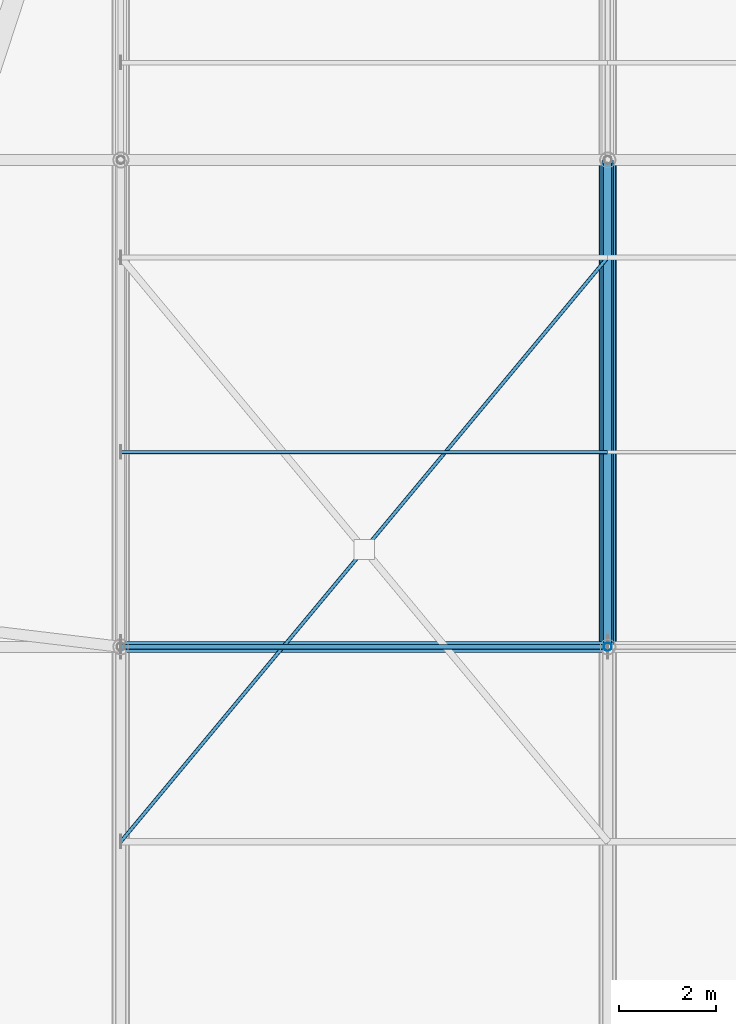
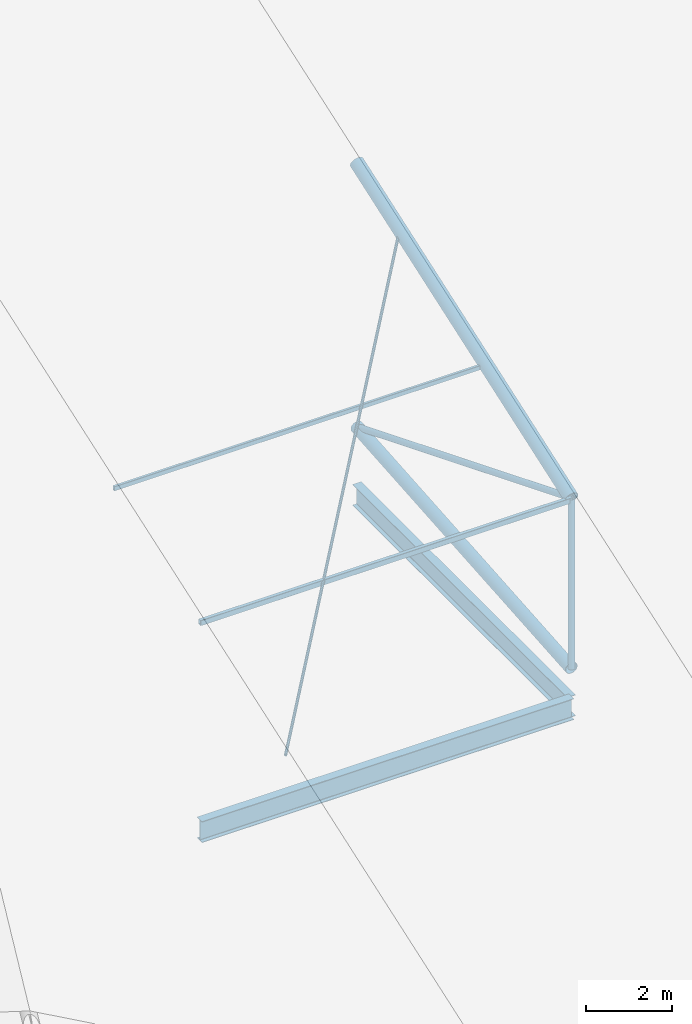
# One storey, part 13 of 93: 7 members, 2 beams.
"""IFC4 building model written with IfcOpenShell, lengths in metres."""

import ifcopenshell
import ifcopenshell.guid

model = None  # the IFC model being written
_history = None  # IfcOwnerHistory: only IFC2X3 demands one
_inside = {}  # id of a spatial element -> (the spatial element, [elements in it])
_under = {}  # id of a project, library or spatial element -> (it, [spatial elements below it])
_declared = {}  # id of a project -> (the project, [libraries it declares])
_typed = {}  # id of a type object -> (the type object, [elements of that type])
_made_of = {}  # id of a material, layer set ... -> (it, [elements and type objects made of it])


def new_model(schema):
    """Start an empty IFC model of exactly this schema.

    Asked for "IFC4X3", IfcOpenShell would pick the latest addendum, in which some entities
    have other attributes; the version numbers below select the first issue.
    IFC2X3 requires an IfcOwnerHistory on every rooted entity: one is made here for all.
    """
    global model, _history
    if schema == "IFC4X3":
        model = ifcopenshell.file(schema_version=(4, 3, 0, 0))
    else:
        model = ifcopenshell.file(schema=schema)
    _inside.clear()
    _under.clear()
    _declared.clear()
    _typed.clear()
    _made_of.clear()
    _history = None
    if model.schema == "IFC2X3":
        org = make("IfcOrganization", Name="unknown")
        user = make(
            "IfcPersonAndOrganization",
            ThePerson=make("IfcPerson", FamilyName="unknown"),
            TheOrganization=org,
        )
        app = make(
            "IfcApplication",
            ApplicationDeveloper=org,
            Version="unknown",
            ApplicationFullName="unknown",
            ApplicationIdentifier="unknown",
        )
        _history = make(
            "IfcOwnerHistory",
            OwningUser=user,
            OwningApplication=app,
            ChangeAction="ADDED",
            CreationDate=0,
        )
    return model


def make(cls, **values):
    """One entity of the class cls with the attributes given. An attribute that is None is left unset."""
    return model.create_entity(
        cls, **{name: value for name, value in values.items() if value is not None}
    )


def rooted(cls, **values):
    """An entity with a GlobalId (a new one), such as an element, a storey or a relation."""
    return make(cls, GlobalId=ifcopenshell.guid.new(), OwnerHistory=_history, **values)


def si_unit(unit_type, name, prefix=None):
    """IfcSIUnit, for example si_unit("LENGTHUNIT", "METRE", prefix="MILLI")."""
    return make("IfcSIUnit", UnitType=unit_type, Prefix=prefix, Name=name)


def derived_unit(unit_type, elements):
    """IfcDerivedUnit: a product of units, each with its exponent."""
    return make(
        "IfcDerivedUnit",
        Elements=[
            make("IfcDerivedUnitElement", Unit=unit, Exponent=power)
            for unit, power in elements
        ],
        UnitType=unit_type,
    )


def assignment(units):
    """IfcUnitAssignment: the units of a project."""
    return None if units is None else make("IfcUnitAssignment", Units=units)


def point(xyz):
    """IfcCartesianPoint."""
    return None if xyz is None else make("IfcCartesianPoint", Coordinates=xyz)


def direction(xyz):
    """IfcDirection."""
    return None if xyz is None else make("IfcDirection", DirectionRatios=xyz)


def frame(location, z_axis=None, x_axis=None):
    """IfcAxis2Placement3D, a coordinate frame: its origin and axes. An axis left out is left unset."""
    return make(
        "IfcAxis2Placement3D",
        Location=point(location),
        Axis=direction(z_axis),
        RefDirection=direction(x_axis),
    )


def frame_2d(location, x_axis=None):
    """IfcAxis2Placement2D, a coordinate frame in the plane: its origin and x axis."""
    return make(
        "IfcAxis2Placement2D", Location=point(location), RefDirection=direction(x_axis)
    )


def origin():
    """The frame at (0, 0, 0) with its axes left unset."""
    return frame((0.0, 0.0, 0.0))


def origin_2d_with_axis():
    """The frame at (0, 0) in the plane with the x axis (1, 0) written out."""
    return frame_2d((0.0, 0.0), x_axis=(1.0, 0.0))


def place(relative_to, where):
    """IfcLocalPlacement: puts the frame where relative to a parent placement (None: the world)."""
    return make(
        "IfcLocalPlacement", PlacementRelTo=relative_to, RelativePlacement=where
    )


def context(
    kind, dimensions, precision=None, world=None, true_north=None, identifier=None
):
    """IfcGeometricRepresentationContext, for example the 3D "Model" context."""
    return make(
        "IfcGeometricRepresentationContext",
        ContextIdentifier=identifier,
        ContextType=kind,
        CoordinateSpaceDimension=dimensions,
        Precision=precision,
        WorldCoordinateSystem=world,
        TrueNorth=true_north,
    )


def subcontext(parent, identifier, kind, view, scale=None):
    """IfcGeometricRepresentationSubContext, for example "Body" below "Model"."""
    return make(
        "IfcGeometricRepresentationSubContext",
        ContextIdentifier=identifier,
        ContextType=kind,
        ParentContext=parent,
        TargetScale=scale,
        TargetView=view,
    )


def project(units=None, contexts=None):
    """IfcProject with its units and contexts."""
    return rooted(
        "IfcProject",
        Name="project",
        RepresentationContexts=contexts,
        UnitsInContext=assignment(units),
    )


def spatial(cls, under=None, at=None, **own):
    """A site, building, storey or space (cls), placed at a placement, below another one or the project."""
    s = rooted(cls, ObjectPlacement=at, **own)
    if under is not None:
        _under.setdefault(under.id(), (under, []))[1].append(s)
    return s


def profile(cls, at=None, kind="AREA", **sizes):
    """A parametric profile (cls). Its sizes go by their IFC names, for example OverallWidth=200.0."""
    return make(cls, ProfileType=kind, Position=at, **sizes)


def hollow_rectangle(**sizes):
    """IfcRectangleHollowProfileDef."""
    return profile("IfcRectangleHollowProfileDef", **sizes)


def hollow_circle(**sizes):
    """IfcCircleHollowProfileDef."""
    return profile("IfcCircleHollowProfileDef", **sizes)


def i_section(**sizes):
    """IfcIShapeProfileDef."""
    return profile("IfcIShapeProfileDef", **sizes)


def extrude(swept, where, along, depth):
    """IfcExtrudedAreaSolid: the profile swept, set in the frame where, extruded along a direction by depth."""
    return make(
        "IfcExtrudedAreaSolid",
        SweptArea=swept,
        Position=where,
        ExtrudedDirection=direction(along),
        Depth=depth,
    )


def shape(context_of_items, identifier, shape_type, items):
    """IfcShapeRepresentation: the items that make up one representation, for example the "Body"."""
    return make(
        "IfcShapeRepresentation",
        ContextOfItems=context_of_items,
        RepresentationIdentifier=identifier,
        RepresentationType=shape_type,
        Items=items,
    )


def material(Name=None, Category=None):
    """IfcMaterial."""
    return make("IfcMaterial", Name=Name, Category=Category)


def material_profile(
    of_material, cross_section, Name=None, Category=None, Priority=None
):
    """IfcMaterialProfile: a cross section and its material."""
    return make(
        "IfcMaterialProfile",
        Name=Name,
        Material=of_material,
        Profile=cross_section,
        Priority=Priority,
        Category=Category,
    )


def profile_set(profiles, Name=None, composite=None):
    """IfcMaterialProfileSet."""
    return make(
        "IfcMaterialProfileSet",
        Name=Name,
        MaterialProfiles=profiles,
        CompositeProfile=composite,
    )


def made_of(thing, what):
    """Note that an element or type object is made of a material, layer set ...; save() writes the relation."""
    if what is not None:
        _made_of.setdefault(what.id(), (what, []))[1].append(thing)
    return thing


def type_object(cls, material=None, **own):
    """A type object (cls), such as IfcWallType, which elements share."""
    return made_of(rooted(cls, **own), material)


def element(
    cls,
    number,
    at=None,
    inside=None,
    cuts=None,
    type_object=None,
    material=None,
    context=None,
    identifier="Body",
    shape_type=None,
    held_by="IfcProductDefinitionShape",
    body=None,
    shapes=None,
    **own,
):
    """One element of the class cls, such as IfcWall. Its Tag is "e" and its number.

    at: its placement. inside: the storey or other place that contains it. cuts: it is an
    opening in that element (IfcRelVoidsElement). A single representation is given by context,
    identifier, shape_type and body (its items); several are given by shapes. held_by: the class
    of the entity that holds the representations. save() writes the other relations.
    """
    e = rooted(cls, Tag="e%d" % number, ObjectPlacement=at, **own)
    if body is not None:
        shapes = [shape(context, identifier, shape_type, body)]
    if shapes is not None:
        e.Representation = make(held_by, Representations=shapes)
    if inside is not None:
        _inside.setdefault(inside.id(), (inside, []))[1].append(e)
    if cuts is not None:
        rooted(
            "IfcRelVoidsElement", RelatingBuildingElement=cuts, RelatedOpeningElement=e
        )
    if type_object is not None:
        _typed.setdefault(type_object.id(), (type_object, []))[1].append(e)
    return made_of(e, material)


def aggregate(whole, parts):
    """IfcRelAggregates: a whole, such as a stair, and the parts it consists of."""
    return rooted("IfcRelAggregates", RelatingObject=whole, RelatedObjects=parts)


def save(model, path):
    """Write the relations noted so far, then the file.

    IfcRelAggregates (storeys below a building ...), IfcRelContainedInSpatialStructure (elements
    in a storey), IfcRelDefinesByType, IfcRelAssociatesMaterial and IfcRelDeclares: one each for
    every whole, place, type object, material and project.
    """
    for whole, parts in _under.values():
        aggregate(whole, parts)
    for where, things in _inside.values():
        rooted(
            "IfcRelContainedInSpatialStructure",
            RelatedElements=things,
            RelatingStructure=where,
        )
    for kind, things in _typed.values():
        rooted("IfcRelDefinesByType", RelatedObjects=things, RelatingType=kind)
    for what, things in _made_of.values():
        rooted("IfcRelAssociatesMaterial", RelatedObjects=things, RelatingMaterial=what)
    for by, libraries in _declared.values():
        rooted("IfcRelDeclares", RelatingContext=by, RelatedDefinitions=libraries)
    model.write(path)


model = new_model("IFC4")

# Units and contexts
model_context = context("Model", 3, precision=1e-05, world=origin(), true_north=direction((0.0, 1.0)))
body_context = subcontext(model_context, "Body", "Model", "MODEL_VIEW")
ifc_project = project(units=[si_unit("LENGTHUNIT", "METRE"), si_unit("AREAUNIT", "SQUARE_METRE"), si_unit("VOLUMEUNIT", "CUBIC_METRE"), si_unit("PLANEANGLEUNIT", "RADIAN"), si_unit("MASSUNIT", "GRAM", prefix="KILO"), derived_unit("THERMALTRANSMITTANCEUNIT", [(si_unit("POWERUNIT", "WATT"), 1), (si_unit("LENGTHUNIT", "METRE"), -2), (si_unit("THERMODYNAMICTEMPERATUREUNIT", "KELVIN"), -1)])], contexts=[model_context])

# Site, building, storey
site_placement = place(None, origin())
site = spatial("IfcSite", under=ifc_project, at=site_placement, CompositionType="ELEMENT")
building_placement = place(site_placement, origin())
building = spatial("IfcBuilding", under=site, at=building_placement, Name="Cinnabar Yard Market Hall", CompositionType="ELEMENT")
storey_placement = place(building_placement, frame((0.0, 0.0, 23.800048828125)))
storey = spatial("IfcBuildingStorey", under=building, at=storey_placement, Name="ROOF", CompositionType="ELEMENT", Elevation=23.800048828125)

# Beams
ifc_material_1 = material(Name="Steel Grade 300 (300 MPa)", Category="steel")
ifc_material_profile_1 = material_profile(ifc_material_1, i_section(OverallWidth=0.22802734375, OverallDepth=0.60205078125, WebThickness=0.010498046875, FlangeThickness=0.014892578125, FilletRadius=0.013916015625, at=origin_2d_with_axis()), Name="610UB101")
ifc_profile_set_1 = profile_set([ifc_material_profile_1], Name="Steel Grade 300 (300 MPa)")
beam_type = type_object("IfcBeamType", Name="BM-B02", PredefinedType="BEAM", material=ifc_profile_set_1)
for number, where, z_axis, x_axis, name in (
    (1, (86.0, 24.0, -9.700927734375), (1.0, 0.0, 0.0), (0.0, 1.0, 0.0), "Hall Longitudinal Tie Girder 00373"),
    (2, (96.0, 24.0, -9.700927734375), (0.0, 1.0, 0.0), (-1.0, 0.0, 0.0), "Hall Transverse Tie Girder 00420"),
):
    element("IfcBeam", number, at=place(storey_placement, frame(where, z_axis=z_axis, x_axis=x_axis)), inside=storey, type_object=beam_type, Name=name, PredefinedType="BEAM", context=body_context, shape_type="SweptSolid", body=[
        extrude(i_section(OverallWidth=0.22802734375, OverallDepth=0.60205078125, WebThickness=0.010498046875, FlangeThickness=0.014892578125, FilletRadius=0.013916015625, at=origin_2d_with_axis()), origin(), (0.0, 0.0, 1.0), 10.0),
    ])

# Members
ifc_material_2 = material(Name="Cold-formed steel C350L0", Category="steel")
ifc_material_profile_2 = material_profile(ifc_material_2, hollow_circle(Radius=0.161865234375, WallThickness=0.009521484375, at=origin_2d_with_axis()), Name="323.9x9.5CHS")
ifc_profile_set_2 = profile_set([ifc_material_profile_2], Name="Cold-formed steel C350L0")
member_type_1 = type_object("IfcMemberType", Name="MB-BC01", PredefinedType="CHORD", material=ifc_profile_set_2)
member_1_placement = place(storey_placement, frame((96.0, 24.0, -8.60009765625), z_axis=(0.0, 0.99681489162, 0.07975005859), x_axis=(-1.0, 0.0, 0.0)))
element("IfcMember", 3, at=member_1_placement, inside=storey, type_object=member_type_1, Name="Hall Truss 96 Bottom Chord 2", PredefinedType="CHORD", context=body_context, shape_type="SweptSolid", body=[
    extrude(hollow_circle(Radius=0.161865234375, WallThickness=0.009521484375, at=origin_2d_with_axis()), origin(), (0.0, 0.0, 1.0), 10.031982421875),
])
ifc_material_profile_3 = material_profile(ifc_material_2, hollow_circle(Radius=0.084228515625, WallThickness=0.00634765625, at=origin_2d_with_axis()), Name="168.3x6.4CHS")
ifc_profile_set_3 = profile_set([ifc_material_profile_3], Name="Cold-formed steel C350L0")
member_type_2 = type_object("IfcMemberType", Name="MB-DG02", PredefinedType="BRACE", material=ifc_profile_set_3)
member_2_placement = place(storey_placement, frame((96.0, 24.0, -3.76123046875), z_axis=(0.0, 0.927230348791, -0.374491495607), x_axis=(-1.0, 0.0, 0.0)))
element("IfcMember", 4, at=member_2_placement, inside=storey, type_object=member_type_2, Name="Hall Truss 96 Diagonal 2", PredefinedType="BRACE", context=body_context, shape_type="SweptSolid", body=[
    extrude(hollow_circle(Radius=0.084228515625, WallThickness=0.00634765625, at=origin_2d_with_axis()), origin(), (0.0, 0.0, 1.0), 10.784912109375),
])
ifc_material_profile_4 = material_profile(ifc_material_2, hollow_rectangle(XDim=0.10009765625, YDim=0.14990234375, WallThickness=0.0048828125, InnerFilletRadius=0.0048828125, OuterFilletRadius=0.010009765625, at=origin_2d_with_axis()), Name="150x100x5.0RHS")
ifc_profile_set_4 = profile_set([ifc_material_profile_4], Name="Cold-formed steel C350L0")
member_type_3 = type_object("IfcMemberType", Name="MB-PU03", PredefinedType="PURLIN", material=ifc_profile_set_4)
member_3_placement = place(storey_placement, frame((86.0, 24.0, -3.80126953125), z_axis=(1.0, 0.0, 0.0), x_axis=(0.0, 1.0, 0.0)))
element("IfcMember", 5, at=member_3_placement, inside=storey, type_object=member_type_3, Name="Hall Roof Purlin Y24 X86", PredefinedType="PURLIN", context=body_context, shape_type="SweptSolid", body=[
    extrude(hollow_rectangle(XDim=0.10009765625, YDim=0.14990234375, WallThickness=0.0048828125, InnerFilletRadius=0.0048828125, OuterFilletRadius=0.010009765625, at=origin_2d_with_axis()), origin(), (0.0, 0.0, 1.0), 10.0),
])
ifc_material_profile_5 = material_profile(ifc_material_2, hollow_rectangle(XDim=0.074951171875, YDim=0.125, WallThickness=0.0048828125, InnerFilletRadius=0.0048828125, OuterFilletRadius=0.010009765625, at=origin_2d_with_axis()), Name="125x75x5.0RHS")
ifc_profile_set_5 = profile_set([ifc_material_profile_5], Name="Cold-formed steel C350L0")
member_type_4 = type_object("IfcMemberType", Name="MB-PU04", PredefinedType="PURLIN", material=ifc_profile_set_5)
member_4_placement = place(storey_placement, frame((86.0, 28.0, -2.4091796875), z_axis=(1.0, 0.0, 0.0), x_axis=(0.0, 1.0, 0.0)))
element("IfcMember", 6, at=member_4_placement, inside=storey, type_object=member_type_4, Name="Hall Roof Purlin Y28 X86", PredefinedType="PURLIN", context=body_context, shape_type="SweptSolid", body=[
    extrude(hollow_rectangle(XDim=0.074951171875, YDim=0.125, WallThickness=0.0048828125, InnerFilletRadius=0.0048828125, OuterFilletRadius=0.010009765625, at=origin_2d_with_axis()), origin(), (0.0, 0.0, 1.0), 10.0),
])
ifc_material_profile_6 = material_profile(ifc_material_2, hollow_circle(Radius=0.0380859375, WallThickness=0.00439453125, at=origin_2d_with_axis()), Name="76.1x4.5CHS")
ifc_profile_set_6 = profile_set([ifc_material_profile_6], Name="Cold-formed steel C350L0")
member_type_5 = type_object("IfcMemberType", Name="MB-RB03", PredefinedType="BRACE", material=ifc_profile_set_6)
member_5_placement = place(storey_placement, frame((86.0, 20.0, -5.153564453125), z_axis=(0.618457094351, 0.742148513222, 0.258314550053), x_axis=(-0.768221279597, 0.640184399664, 0.0)))
element("IfcMember", 7, at=member_5_placement, inside=storey, type_object=member_type_5, Name="Roof Plan Continuous X-Brace 86-20A", PredefinedType="BRACE", context=body_context, shape_type="SweptSolid", body=[
    extrude(hollow_circle(Radius=0.0380859375, WallThickness=0.00439453125, at=origin_2d_with_axis()), origin(), (0.0, 0.0, 1.0), 16.169189453125),
])
ifc_material_profile_7 = material_profile(ifc_material_2, hollow_circle(Radius=0.177734375, WallThickness=0.0126953125, at=origin_2d_with_axis()), Name="355.6x12.7CHS")
ifc_profile_set_7 = profile_set([ifc_material_profile_7], Name="Cold-formed steel C350L0")
member_type_6 = type_object("IfcMemberType", Name="MB-TC01", PredefinedType="CHORD", material=ifc_profile_set_7)
member_6_placement = place(storey_placement, frame((96.0, 24.0, -3.76123046875), z_axis=(0.0, 0.944432077625, 0.328706633267), x_axis=(-1.0, 0.0, 0.0)))
element("IfcMember", 8, at=member_6_placement, inside=storey, type_object=member_type_6, Name="Hall Truss 96 Top Chord 2", PredefinedType="CHORD", context=body_context, shape_type="SweptSolid", body=[
    extrude(hollow_circle(Radius=0.177734375, WallThickness=0.0126953125, at=origin_2d_with_axis()), origin(), (0.0, 0.0, 1.0), 10.58837890625),
])
ifc_material_profile_8 = material_profile(ifc_material_2, hollow_circle(Radius=0.084228515625, WallThickness=0.00634765625, at=origin_2d_with_axis()), Name="168.3x6.4CHS")
ifc_profile_set_8 = profile_set([ifc_material_profile_8], Name="Cold-formed steel C350L0")
member_type_7 = type_object("IfcMemberType", Name="MB-WB01", PredefinedType="STRUT", material=ifc_profile_set_8)
member_7_placement = place(storey_placement, frame((96.0, 24.0, -8.60009765625), z_axis=(0.0, 0.0, 1.0), x_axis=(1.0, 0.0, 0.0)))
element("IfcMember", 9, at=member_7_placement, inside=storey, type_object=member_type_7, Name="Hall Truss 96 Post 1", PredefinedType="STRUT", context=body_context, shape_type="SweptSolid", body=[
    extrude(hollow_circle(Radius=0.084228515625, WallThickness=0.00634765625, at=origin_2d_with_axis()), origin(), (0.0, 0.0, 1.0), 4.8388671875),
])

save(model, "model.ifc")
